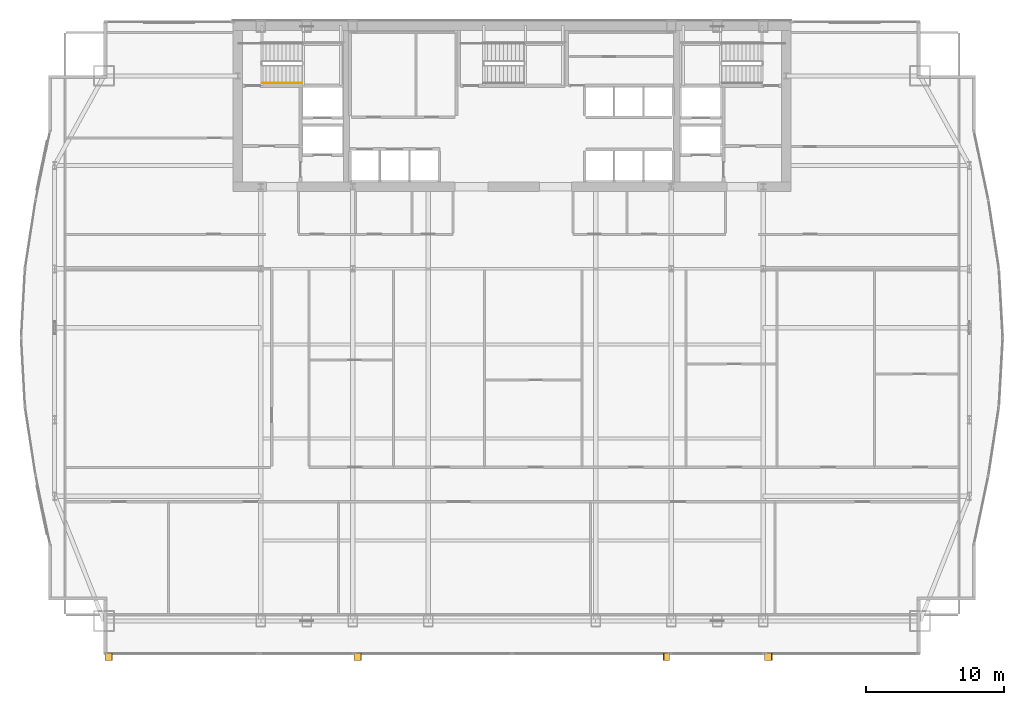
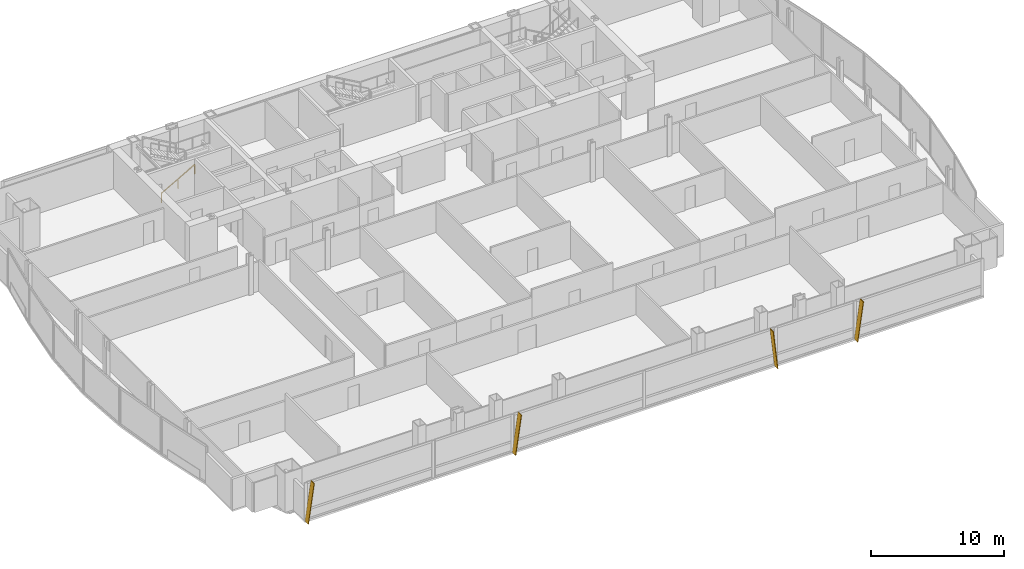
# One storey, part 32 of 33: 4 shading devices, 1 railing.
"""IFC4 building model written with IfcOpenShell, lengths in metres."""

from ifc_helpers import new_model, si_unit, direction, frame, origin, origin_2d, place, context, subcontext, project, spatial, polyline, rectangle, outline, extrude, material, layer, layer_set, type_object, element, save


model = new_model("IFC4")

# Units and contexts
model_context = context("Model", 3, precision=1e-05, world=origin(), true_north=direction((0.0, 1.0)))
body_context = subcontext(model_context, "Body", "Model", "MODEL_VIEW")
ifc_project = project(units=[si_unit("LENGTHUNIT", "METRE"), si_unit("AREAUNIT", "SQUARE_METRE"), si_unit("VOLUMEUNIT", "CUBIC_METRE"), si_unit("PLANEANGLEUNIT", "RADIAN"), si_unit("MASSUNIT", "GRAM", prefix="KILO")], contexts=[model_context])

# Site, building, storey
site_placement = place(None, origin())
site = spatial("IfcSite", under=ifc_project, at=site_placement, CompositionType="ELEMENT")
building_placement = place(site_placement, origin())
building = spatial("IfcBuilding", under=site, at=building_placement, Name="Khoronbel Lancet Exchange", CompositionType="ELEMENT")
storey_placement = place(building_placement, frame((0.0, 0.0, 114.60009765625)))
storey = spatial("IfcBuildingStorey", under=building, at=storey_placement, Name="L27", CompositionType="ELEMENT", Elevation=114.60009765625)

# Railing
ifc_material_1 = material(Name="Brushed Stainless Steel 316", Category="steel")
railing_type = type_object("IfcRailingType", Name="RL-STH92", PredefinedType="HANDRAIL", material=ifc_material_1)
railing_placement = place(storey_placement, frame((18.300048828125, 49.169921875, 0.16357421875)))
element("IfcRailing", 1, at=railing_placement, inside=storey, type_object=railing_type, Name="L27 ST1 stair handrail 1", PredefinedType="HANDRAIL", context=body_context, shape_type="SweptSolid", body=[
    extrude(rectangle(XDim=0.048095703125, YDim=0.048095703125, at=origin_2d()), frame((0.0, 0.0, 0.8759765625), z_axis=(0.870928581787, 0.0, 0.491409610636), x_axis=(0.0, 1.0, 0.0)), (0.0, 0.0, 1.0), 3.32958984375),
    extrude(rectangle(XDim=0.0419921875, YDim=0.0419921875, at=origin_2d()), origin(), (0.0, 0.0, 1.0), 0.851806640625),
    extrude(rectangle(XDim=0.0419921875, YDim=0.0419921875, at=origin_2d()), frame((1.449951171875, 0.0, 0.818115234375)), (0.0, 0.0, 1.0), 0.851806640625),
    extrude(rectangle(XDim=0.0419921875, YDim=0.0419921875, at=origin_2d()), frame((2.89990234375, 0.0, 1.63623046875)), (0.0, 0.0, 1.0), 0.851806640625),
])

# Shading devices
ifc_material_2 = material(Name="Bronze-Anodised Aluminium 6063-T6", Category="aluminium")
ifc_layer = layer(ifc_material_2, 0.054931640625, Name="Bronze-Anodised Aluminium 6063-T6")
ifc_layer_set = layer_set([ifc_layer], Name="Bronze-Anodised Aluminium 6063-T6")
shading_device_type = type_object("IfcShadingDeviceType", Name="SHD-FIN1", PredefinedType="USERDEFINED", material=ifc_layer_set)
for number, where, z_axis, x_axis, name in (
    (2, (6.91259765625, 7.81005859375, -0.080078125), (-0.990092925251, 0.0, 0.140413672296), (0.0, -1.0, 0.0), "Slanted bronze solar fin CW-L27-SWV-0"),
    (3, (24.972412109375, 7.81005859375, -0.080078125), (-0.990083483708, 0.0, 0.140480230955), (0.0, -1.0, 0.0), "Slanted bronze solar fin CW-L27-SCV-0"),
):
    element("IfcShadingDevice", number, at=place(storey_placement, frame(where, z_axis=z_axis, x_axis=x_axis)), inside=storey, type_object=shading_device_type, Name=name, ObjectType="FIN", PredefinedType="USERDEFINED", context=body_context, shape_type="SweptSolid", body=[
        extrude(outline(polyline([(0.0, 0.0), (0.52001953125, 0.0), (0.52001953125, 3.595703125), (0.0, 3.595703125), (0.0, 0.0)])), origin(), (0.0, 0.0, -1.0), 0.054931640625),
    ])
shading_device_1_placement = place(storey_placement, frame((47.87255859375, 7.81005859375, -0.080078125), z_axis=(0.993900347655, 0.0, 0.110281906632), x_axis=(0.0, -1.0, 0.0)))
element("IfcShadingDevice", 4, at=shading_device_1_placement, inside=storey, type_object=shading_device_type, Name="Slanted bronze solar fin CW-L27-SCV-2", ObjectType="FIN", PredefinedType="USERDEFINED", context=body_context, shape_type="SweptSolid", body=[
    extrude(outline(polyline([(0.0, 0.0), (0.52001953125, 0.0), (0.52001953125, -3.581787109375), (0.0, -3.581787109375), (0.0, 0.0)])), origin(), (0.0, 0.0, -1.0), 0.054931640625),
])
shading_device_2_placement = place(storey_placement, frame((54.7724609375, 7.81005859375, -0.080078125), z_axis=(-0.990083483708, 0.0, 0.140480230955), x_axis=(0.0, -1.0, 0.0)))
element("IfcShadingDevice", 5, at=shading_device_2_placement, inside=storey, type_object=shading_device_type, Name="Slanted bronze solar fin CW-L27-SEV-0", ObjectType="FIN", PredefinedType="USERDEFINED", context=body_context, shape_type="SweptSolid", body=[
    extrude(outline(polyline([(0.0, 0.0), (0.52001953125, 0.0), (0.52001953125, 3.595703125), (0.0, 3.595703125), (0.0, 0.0)])), origin(), (0.0, 0.0, -1.0), 0.054931640625),
])

save(model, "model.ifc")
